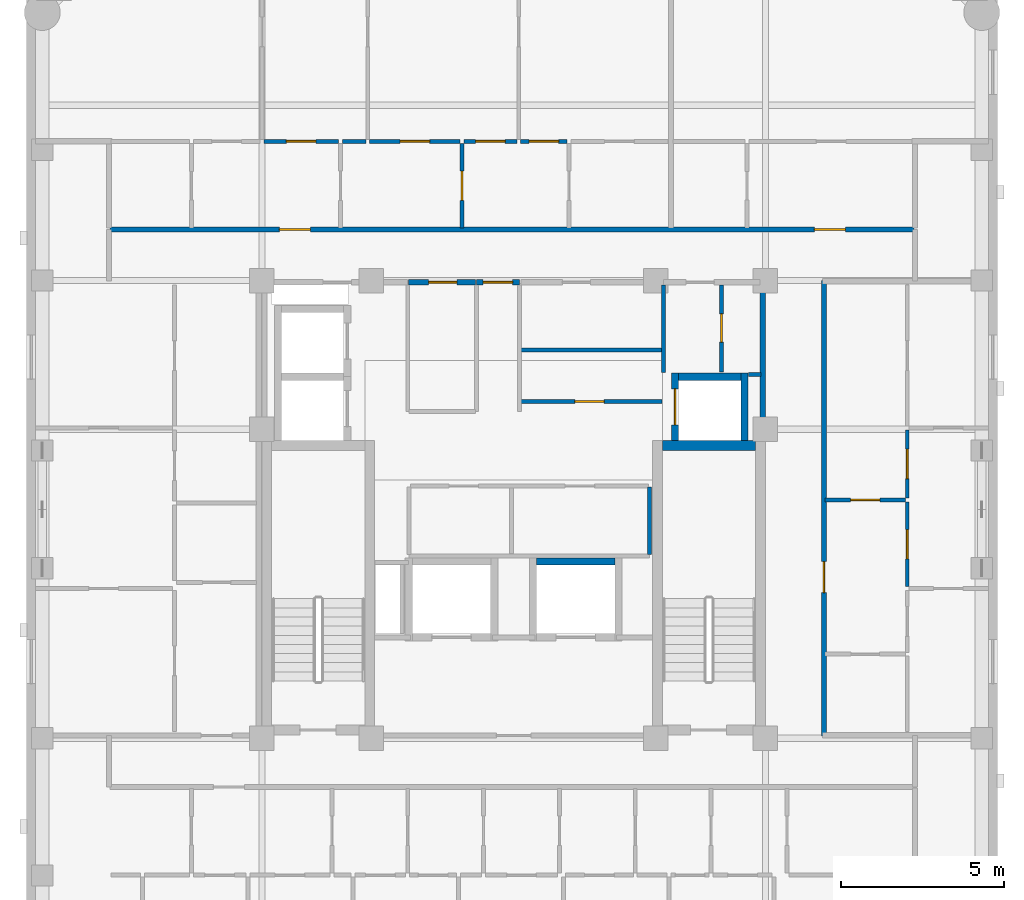
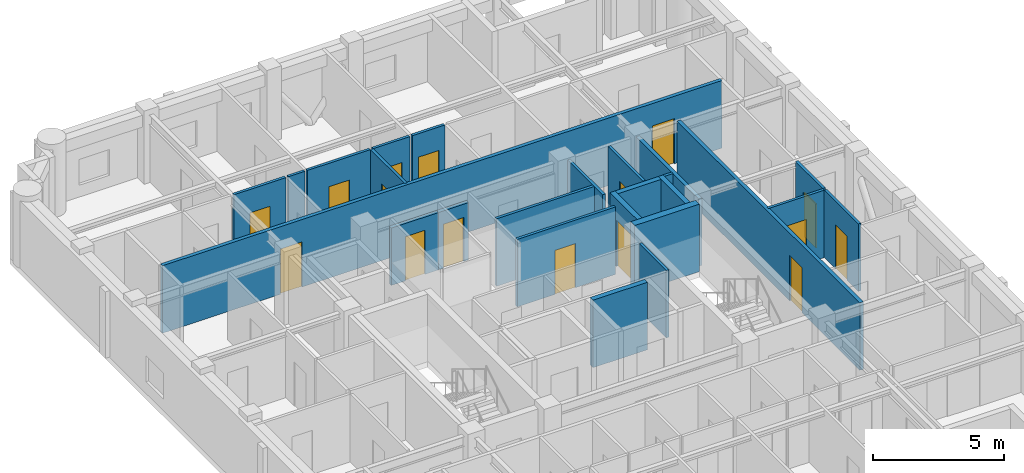
# One storey, part 6 of 11: 25 walls, 16 doors, 16 openings.
"""IFC4 building model written with IfcOpenShell, lengths in metres."""

import ifcopenshell
import ifcopenshell.guid

model = None  # the IFC model being written
_history = None  # IfcOwnerHistory: only IFC2X3 demands one
_inside = {}  # id of a spatial element -> (the spatial element, [elements in it])
_under = {}  # id of a project, library or spatial element -> (it, [spatial elements below it])
_declared = {}  # id of a project -> (the project, [libraries it declares])
_typed = {}  # id of a type object -> (the type object, [elements of that type])
_made_of = {}  # id of a material, layer set ... -> (it, [elements and type objects made of it])


def new_model(schema):
    """Start an empty IFC model of exactly this schema.

    Asked for "IFC4X3", IfcOpenShell would pick the latest addendum, in which some entities
    have other attributes; the version numbers below select the first issue.
    IFC2X3 requires an IfcOwnerHistory on every rooted entity: one is made here for all.
    """
    global model, _history
    if schema == "IFC4X3":
        model = ifcopenshell.file(schema_version=(4, 3, 0, 0))
    else:
        model = ifcopenshell.file(schema=schema)
    _inside.clear()
    _under.clear()
    _declared.clear()
    _typed.clear()
    _made_of.clear()
    _history = None
    if model.schema == "IFC2X3":
        org = make("IfcOrganization", Name="unknown")
        user = make(
            "IfcPersonAndOrganization",
            ThePerson=make("IfcPerson", FamilyName="unknown"),
            TheOrganization=org,
        )
        app = make(
            "IfcApplication",
            ApplicationDeveloper=org,
            Version="unknown",
            ApplicationFullName="unknown",
            ApplicationIdentifier="unknown",
        )
        _history = make(
            "IfcOwnerHistory",
            OwningUser=user,
            OwningApplication=app,
            ChangeAction="ADDED",
            CreationDate=0,
        )
    return model


def make(cls, **values):
    """One entity of the class cls with the attributes given. An attribute that is None is left unset."""
    return model.create_entity(
        cls, **{name: value for name, value in values.items() if value is not None}
    )


def rooted(cls, **values):
    """An entity with a GlobalId (a new one), such as an element, a storey or a relation."""
    return make(cls, GlobalId=ifcopenshell.guid.new(), OwnerHistory=_history, **values)


def si_unit(unit_type, name, prefix=None):
    """IfcSIUnit, for example si_unit("LENGTHUNIT", "METRE", prefix="MILLI")."""
    return make("IfcSIUnit", UnitType=unit_type, Prefix=prefix, Name=name)


def derived_unit(unit_type, elements):
    """IfcDerivedUnit: a product of units, each with its exponent."""
    return make(
        "IfcDerivedUnit",
        Elements=[
            make("IfcDerivedUnitElement", Unit=unit, Exponent=power)
            for unit, power in elements
        ],
        UnitType=unit_type,
    )


def assignment(units):
    """IfcUnitAssignment: the units of a project."""
    return None if units is None else make("IfcUnitAssignment", Units=units)


def point(xyz):
    """IfcCartesianPoint."""
    return None if xyz is None else make("IfcCartesianPoint", Coordinates=xyz)


def direction(xyz):
    """IfcDirection."""
    return None if xyz is None else make("IfcDirection", DirectionRatios=xyz)


def frame(location, z_axis=None, x_axis=None):
    """IfcAxis2Placement3D, a coordinate frame: its origin and axes. An axis left out is left unset."""
    return make(
        "IfcAxis2Placement3D",
        Location=point(location),
        Axis=direction(z_axis),
        RefDirection=direction(x_axis),
    )


def frame_2d(location, x_axis=None):
    """IfcAxis2Placement2D, a coordinate frame in the plane: its origin and x axis."""
    return make(
        "IfcAxis2Placement2D", Location=point(location), RefDirection=direction(x_axis)
    )


def origin():
    """The frame at (0, 0, 0) with its axes left unset."""
    return frame((0.0, 0.0, 0.0))


def place(relative_to, where):
    """IfcLocalPlacement: puts the frame where relative to a parent placement (None: the world)."""
    return make(
        "IfcLocalPlacement", PlacementRelTo=relative_to, RelativePlacement=where
    )


def context(
    kind, dimensions, precision=None, world=None, true_north=None, identifier=None
):
    """IfcGeometricRepresentationContext, for example the 3D "Model" context."""
    return make(
        "IfcGeometricRepresentationContext",
        ContextIdentifier=identifier,
        ContextType=kind,
        CoordinateSpaceDimension=dimensions,
        Precision=precision,
        WorldCoordinateSystem=world,
        TrueNorth=true_north,
    )


def subcontext(parent, identifier, kind, view, scale=None):
    """IfcGeometricRepresentationSubContext, for example "Body" below "Model"."""
    return make(
        "IfcGeometricRepresentationSubContext",
        ContextIdentifier=identifier,
        ContextType=kind,
        ParentContext=parent,
        TargetScale=scale,
        TargetView=view,
    )


def project(units=None, contexts=None):
    """IfcProject with its units and contexts."""
    return rooted(
        "IfcProject",
        Name="project",
        RepresentationContexts=contexts,
        UnitsInContext=assignment(units),
    )


def spatial(cls, under=None, at=None, **own):
    """A site, building, storey or space (cls), placed at a placement, below another one or the project."""
    s = rooted(cls, ObjectPlacement=at, **own)
    if under is not None:
        _under.setdefault(under.id(), (under, []))[1].append(s)
    return s


def profile(cls, at=None, kind="AREA", **sizes):
    """A parametric profile (cls). Its sizes go by their IFC names, for example OverallWidth=200.0."""
    return make(cls, ProfileType=kind, Position=at, **sizes)


def rectangle(**sizes):
    """IfcRectangleProfileDef."""
    return profile("IfcRectangleProfileDef", **sizes)


def extrude(swept, where, along, depth):
    """IfcExtrudedAreaSolid: the profile swept, set in the frame where, extruded along a direction by depth."""
    return make(
        "IfcExtrudedAreaSolid",
        SweptArea=swept,
        Position=where,
        ExtrudedDirection=direction(along),
        Depth=depth,
    )


def shape(context_of_items, identifier, shape_type, items):
    """IfcShapeRepresentation: the items that make up one representation, for example the "Body"."""
    return make(
        "IfcShapeRepresentation",
        ContextOfItems=context_of_items,
        RepresentationIdentifier=identifier,
        RepresentationType=shape_type,
        Items=items,
    )


def material(Name=None, Category=None):
    """IfcMaterial."""
    return make("IfcMaterial", Name=Name, Category=Category)


def layer(
    of_material, thickness, ventilated=None, Name=None, Category=None, Priority=None
):
    """IfcMaterialLayer: one layer of a wall or slab, of a material (None: an air gap)."""
    return make(
        "IfcMaterialLayer",
        Material=of_material,
        LayerThickness=thickness,
        IsVentilated=ventilated,
        Name=Name,
        Category=Category,
        Priority=Priority,
    )


def layer_set(layers, Name=None):
    """IfcMaterialLayerSet."""
    return make("IfcMaterialLayerSet", MaterialLayers=layers, LayerSetName=Name)


def made_of(thing, what):
    """Note that an element or type object is made of a material, layer set ...; save() writes the relation."""
    if what is not None:
        _made_of.setdefault(what.id(), (what, []))[1].append(thing)
    return thing


def type_object(cls, material=None, **own):
    """A type object (cls), such as IfcWallType, which elements share."""
    return made_of(rooted(cls, **own), material)


def element(
    cls,
    number,
    at=None,
    inside=None,
    cuts=None,
    type_object=None,
    material=None,
    context=None,
    identifier="Body",
    shape_type=None,
    held_by="IfcProductDefinitionShape",
    body=None,
    shapes=None,
    **own,
):
    """One element of the class cls, such as IfcWall. Its Tag is "e" and its number.

    at: its placement. inside: the storey or other place that contains it. cuts: it is an
    opening in that element (IfcRelVoidsElement). A single representation is given by context,
    identifier, shape_type and body (its items); several are given by shapes. held_by: the class
    of the entity that holds the representations. save() writes the other relations.
    """
    e = rooted(cls, Tag="e%d" % number, ObjectPlacement=at, **own)
    if body is not None:
        shapes = [shape(context, identifier, shape_type, body)]
    if shapes is not None:
        e.Representation = make(held_by, Representations=shapes)
    if inside is not None:
        _inside.setdefault(inside.id(), (inside, []))[1].append(e)
    if cuts is not None:
        rooted(
            "IfcRelVoidsElement", RelatingBuildingElement=cuts, RelatedOpeningElement=e
        )
    if type_object is not None:
        _typed.setdefault(type_object.id(), (type_object, []))[1].append(e)
    return made_of(e, material)


def fill(opening, filler):
    """IfcRelFillsElement: the door or window that sits in an opening."""
    return rooted(
        "IfcRelFillsElement",
        RelatingOpeningElement=opening,
        RelatedBuildingElement=filler,
    )


def aggregate(whole, parts):
    """IfcRelAggregates: a whole, such as a stair, and the parts it consists of."""
    return rooted("IfcRelAggregates", RelatingObject=whole, RelatedObjects=parts)


def save(model, path):
    """Write the relations noted so far, then the file.

    IfcRelAggregates (storeys below a building ...), IfcRelContainedInSpatialStructure (elements
    in a storey), IfcRelDefinesByType, IfcRelAssociatesMaterial and IfcRelDeclares: one each for
    every whole, place, type object, material and project.
    """
    for whole, parts in _under.values():
        aggregate(whole, parts)
    for where, things in _inside.values():
        rooted(
            "IfcRelContainedInSpatialStructure",
            RelatedElements=things,
            RelatingStructure=where,
        )
    for kind, things in _typed.values():
        rooted("IfcRelDefinesByType", RelatedObjects=things, RelatingType=kind)
    for what, things in _made_of.values():
        rooted("IfcRelAssociatesMaterial", RelatedObjects=things, RelatingMaterial=what)
    for by, libraries in _declared.values():
        rooted("IfcRelDeclares", RelatingContext=by, RelatedDefinitions=libraries)
    model.write(path)


model = new_model("IFC4")

# Units and contexts
model_context = context("Model", 3, precision=1e-05, world=origin(), true_north=direction((0.0, 1.0)))
body_context = subcontext(model_context, "Body", "Model", "MODEL_VIEW")
ifc_project = project(units=[si_unit("LENGTHUNIT", "METRE"), si_unit("AREAUNIT", "SQUARE_METRE"), si_unit("VOLUMEUNIT", "CUBIC_METRE"), si_unit("PLANEANGLEUNIT", "RADIAN"), si_unit("MASSUNIT", "GRAM", prefix="KILO"), derived_unit("THERMALTRANSMITTANCEUNIT", [(si_unit("MASSUNIT", "GRAM", prefix="KILO"), 1), (si_unit("TIMEUNIT", "SECOND"), -3), (si_unit("THERMODYNAMICTEMPERATUREUNIT", "KELVIN"), -1)])], contexts=[model_context])

# Site, building, storey
site_placement = place(None, origin())
site = spatial("IfcSite", under=ifc_project, at=site_placement, CompositionType="ELEMENT")
building_placement = place(site_placement, origin())
building = spatial("IfcBuilding", under=site, at=building_placement, Name="Korrvale Station Residences", CompositionType="ELEMENT")
storey_placement = place(building_placement, frame((0.0, 0.0, 230.89990234375)))
storey = spatial("IfcBuildingStorey", under=building, at=storey_placement, Name="L67", CompositionType="ELEMENT", Elevation=230.89990234375)

# Walls
ifc_material_1 = material(Name="Concrete C50/60", Category="concrete")
ifc_layer_1 = layer(ifc_material_1, 0.300048828125, Name="Concrete C50/60")
ifc_layer_set_1 = layer_set([ifc_layer_1], Name="Concrete C50/60")
wall_type_1 = type_object("IfcWallType", Name="WAL-CORE-300-C50", PredefinedType="SHEAR", material=ifc_layer_set_1)
wall_1_placement = place(storey_placement, frame((30.050048828125, 23.949951171875, 0.0), z_axis=(0.0, 0.0, 1.0), x_axis=(1.0, 0.0, 0.0)))
element("IfcWall", 1, at=wall_1_placement, inside=storey, type_object=wall_type_1, Name="L67 ST-2 Core Shear Wall North", PredefinedType="SHEAR", context=body_context, shape_type="SweptSolid", body=[
    extrude(rectangle(XDim=2.849853515625, YDim=0.300048828125, at=frame_2d((1.4248046875, 0.0))), origin(), (0.0, 0.0, 1.0), 3.14013671875),
])
ifc_material_2 = material(Name="Acoustic steel-stud gypsum board partition", Category="steel")
ifc_layer_2 = layer(ifc_material_2, 0.1201171875, Name="Acoustic steel-stud gypsum board partition")
ifc_layer_set_2 = layer_set([ifc_layer_2], Name="Acoustic steel-stud gypsum board partition")
wall_type_2 = type_object("IfcWallType", Name="WAL-PART-125", PredefinedType="PARTITIONING", material=ifc_layer_set_2)
wall_2_placement = place(storey_placement, frame((30.080078125, 26.179931640625, 0.0), z_axis=(0.0, 0.0, 1.0), x_axis=(0.0, 1.0, 0.0)))
element("IfcWall", 2, at=wall_2_placement, inside=storey, type_object=wall_type_2, Name="L67 Core Partition CW-CS-W", PredefinedType="PARTITIONING", context=body_context, shape_type="SweptSolid", body=[
    extrude(rectangle(XDim=2.68017578125, YDim=0.1201171875, at=frame_2d((1.340087890625, 0.0))), origin(), (0.0, 0.0, 1.0), 3.14013671875),
])
wall_3_placement = place(storey_placement, frame((32.679931640625, 26.1201171875, 0.0), z_axis=(0.0, 0.0, 1.0), x_axis=(1.0, 0.0, 0.0)))
element("IfcWall", 3, at=wall_3_placement, inside=storey, type_object=wall_type_2, Name="L67 Core Partition CW-CS-S", PredefinedType="PARTITIONING", context=body_context, shape_type="SweptSolid", body=[
    extrude(rectangle(XDim=0.380126953125, YDim=0.1201171875, at=frame_2d((0.18994140625, 0.0))), origin(), (0.0, 0.0, 1.0), 3.14013671875),
])

# Wall, opening, door
wall_4_placement = place(storey_placement, frame((31.860107421875, 26.199951171875, 0.0), z_axis=(0.0, 0.0, 1.0), x_axis=(0.0, 1.0, 0.0)))
wall_4 = element("IfcWall", 4, at=wall_4_placement, inside=storey, type_object=wall_type_2, Name="L67 Core Partition CW-CS-MID", PredefinedType="PARTITIONING", context=body_context, shape_type="SweptSolid", body=[
    extrude(rectangle(XDim=2.66015625, YDim=0.1201171875, at=frame_2d((1.330078125, 0.0))), origin(), (0.0, 0.0, 1.0), 3.14013671875),
])
opening_1_placement = place(wall_4_placement, frame((0.919921875, 0.0, 0.0)))
opening_1 = element("IfcOpeningElement", 5, at=opening_1_placement, cuts=wall_4, Name="Opening DB-860", PredefinedType="OPENING", context=body_context, shape_type="SweptSolid", body=[
    extrude(rectangle(XDim=0.860107421875, YDim=2.050048828125, at=frame_2d((0.43017578125, 1.02490234375))), frame((0.0, 0.070068359375, 0.0), z_axis=(0.0, -1.0, 0.0), x_axis=(1.0, 0.0, 0.0)), (0.0, 0.0, 1.0), 0.14013671875),
])
ifc_material_3 = material(Name="Moisture-resistant solid-core bathroom door", Category="timber")
door_type_1 = type_object("IfcDoorType", Name="DR-BATH-860", OperationType="NOTDEFINED", PredefinedType="DOOR", material=ifc_material_3)
door_1_placement = place(opening_1_placement, origin())
door_1 = element("IfcDoor", 6, at=door_1_placement, inside=storey, type_object=door_type_1, Name="L67 Metering Inner Door", OperationType="SINGLE_SWING_LEFT", OverallHeight=2.050048828125, OverallWidth=0.860107421875, PredefinedType="DOOR", context=body_context, shape_type="SweptSolid", body=[
    extrude(rectangle(XDim=0.860107421875, YDim=2.050048828125, at=frame_2d((0.43017578125, 1.02490234375))), frame((0.0, 0.02490234375, 0.0), z_axis=(0.0, -1.0, 0.0), x_axis=(1.0, 0.0, 0.0)), (0.0, 0.0, 1.0), 0.050048828125),
])
fill(opening_1, door_1)

# Wall
wall_5_placement = place(storey_placement, frame((25.719970703125, 26.8798828125, 0.0), z_axis=(0.0, 0.0, 1.0), x_axis=(1.0, 0.0, 0.0)))
element("IfcWall", 7, at=wall_5_placement, inside=storey, type_object=wall_type_2, Name="L67 Core Partition CW-FPLE-H", PredefinedType="PARTITIONING", context=body_context, shape_type="SweptSolid", body=[
    extrude(rectangle(XDim=4.320068359375, YDim=0.1201171875, at=frame_2d((2.16015625, 0.0))), origin(), (0.0, 0.0, 1.0), 3.14013671875),
])

# Wall, opening, door
wall_6_placement = place(storey_placement, frame((25.719970703125, 25.300048828125, 0.0), z_axis=(0.0, 0.0, 1.0), x_axis=(1.0, 0.0, 0.0)))
wall_6 = element("IfcWall", 8, at=wall_6_placement, inside=storey, type_object=wall_type_2, Name="L67 Core Partition CW-FPLE-S", PredefinedType="PARTITIONING", context=body_context, shape_type="SweptSolid", body=[
    extrude(rectangle(XDim=4.320068359375, YDim=0.1201171875, at=frame_2d((2.16015625, 0.0))), origin(), (0.0, 0.0, 1.0), 3.14013671875),
])
opening_2_placement = place(wall_6_placement, frame((1.64990234375, 0.0, 0.0)))
opening_2 = element("IfcOpeningElement", 9, at=opening_2_placement, cuts=wall_6, Name="Opening DI-900", PredefinedType="OPENING", context=body_context, shape_type="SweptSolid", body=[
    extrude(rectangle(XDim=0.89990234375, YDim=2.050048828125, at=frame_2d((0.449951171875, 1.02490234375))), frame((0.0, 0.070068359375, 0.0), z_axis=(0.0, -1.0, 0.0), x_axis=(1.0, 0.0, 0.0)), (0.0, 0.0, 1.0), 0.14013671875),
])
ifc_material_4 = material(Name="Painted solid-core timber interior room door", Category="wood")
door_type_2 = type_object("IfcDoorType", Name="DR-INT-900", OperationType="NOTDEFINED", PredefinedType="DOOR", material=ifc_material_4)
door_2_placement = place(opening_2_placement, origin())
door_2 = element("IfcDoor", 10, at=door_2_placement, inside=storey, type_object=door_type_2, Name="L67 Housekeeping Linen Door", OperationType="SINGLE_SWING_RIGHT", OverallHeight=2.050048828125, OverallWidth=0.89990234375, PredefinedType="DOOR", context=body_context, shape_type="SweptSolid", body=[
    extrude(rectangle(XDim=0.89990234375, YDim=2.050048828125, at=frame_2d((0.449951171875, 1.02490234375))), frame((0.0, 0.02490234375, 0.0), z_axis=(0.0, -1.0, 0.0), x_axis=(1.0, 0.0, 0.0)), (0.0, 0.0, 1.0), 0.050048828125),
])
fill(opening_2, door_2)

# Wall
wall_7_placement = place(storey_placement, frame((29.659912109375, 20.6201171875, 0.0), z_axis=(0.0, 0.0, 1.0), x_axis=(0.0, 1.0, 0.0)))
element("IfcWall", 11, at=wall_7_placement, inside=storey, type_object=wall_type_2, Name="L67 Core Partition CW-FPM-E", PredefinedType="PARTITIONING", context=body_context, shape_type="SweptSolid", body=[
    extrude(rectangle(XDim=2.059814453125, YDim=0.1201171875, at=frame_2d((1.02978515625, 0.0))), origin(), (0.0, 0.0, 1.0), 3.14013671875),
])

# Wall, opening, door
wall_8_placement = place(storey_placement, frame((17.860107421875, 33.260009765625, 0.0), z_axis=(0.0, 0.0, 1.0), x_axis=(1.0, 0.0, 0.0)))
wall_8 = element("IfcWall", 12, at=wall_8_placement, inside=storey, type_object=wall_type_2, Name="L67 Suite Partition U02-H16", PredefinedType="PARTITIONING", context=body_context, shape_type="SweptSolid", body=[
    extrude(rectangle(XDim=2.27978515625, YDim=0.1201171875, at=frame_2d((1.139892578125, 0.0))), origin(), (0.0, 0.0, 1.0), 3.14013671875),
])
opening_3_placement = place(wall_8_placement, frame((0.68994140625, 0.0, 0.0)))
opening_3 = element("IfcOpeningElement", 13, at=opening_3_placement, cuts=wall_8, Name="Opening DI-900", PredefinedType="OPENING", context=body_context, shape_type="SweptSolid", body=[
    extrude(rectangle(XDim=0.89990234375, YDim=2.050048828125, at=frame_2d((0.449951171875, 1.02490234375))), frame((0.0, 0.070068359375, 0.0), z_axis=(0.0, -1.0, 0.0), x_axis=(1.0, 0.0, 0.0)), (0.0, 0.0, 1.0), 0.14013671875),
])
door_3_placement = place(opening_3_placement, origin())
door_3 = element("IfcDoor", 14, at=door_3_placement, inside=storey, type_object=door_type_2, Name="L67 Apartment 2BR L67-U02 Kitchen Door", OperationType="SINGLE_SWING_LEFT", OverallHeight=2.050048828125, OverallWidth=0.89990234375, PredefinedType="DOOR", context=body_context, shape_type="SweptSolid", body=[
    extrude(rectangle(XDim=0.89990234375, YDim=2.050048828125, at=frame_2d((0.449951171875, 1.02490234375))), frame((0.0, 0.02490234375, 0.0), z_axis=(0.0, -1.0, 0.0), x_axis=(1.0, 0.0, 0.0)), (0.0, 0.0, 1.0), 0.050048828125),
])
fill(opening_3, door_3)

wall_9_placement = place(storey_placement, frame((23.919921875, 30.60009765625, 0.0), z_axis=(0.0, 0.0, 1.0), x_axis=(0.0, 1.0, 0.0)))
wall_9 = element("IfcWall", 15, at=wall_9_placement, inside=storey, type_object=wall_type_2, Name="L67 Suite Partition U02-V23", PredefinedType="PARTITIONING", context=body_context, shape_type="SweptSolid", body=[
    extrude(rectangle(XDim=2.599853515625, YDim=0.1201171875, at=frame_2d((1.2998046875, 0.0))), origin(), (0.0, 0.0, 1.0), 3.14013671875),
])
opening_4_placement = place(wall_9_placement, frame((0.85009765625, 0.0, 0.0)))
opening_4 = element("IfcOpeningElement", 16, at=opening_4_placement, cuts=wall_9, Name="Opening DI-900", PredefinedType="OPENING", context=body_context, shape_type="SweptSolid", body=[
    extrude(rectangle(XDim=0.89990234375, YDim=2.050048828125, at=frame_2d((0.449951171875, 1.02490234375))), frame((0.0, 0.070068359375, 0.0), z_axis=(0.0, -1.0, 0.0), x_axis=(1.0, 0.0, 0.0)), (0.0, 0.0, 1.0), 0.14013671875),
])
door_4_placement = place(opening_4_placement, origin())
door_4 = element("IfcDoor", 17, at=door_4_placement, inside=storey, type_object=door_type_2, Name="L67 Apartment 2BR L67-U02 Utility and Laundry Room Door", OperationType="SINGLE_SWING_RIGHT", OverallHeight=2.050048828125, OverallWidth=0.89990234375, PredefinedType="DOOR", context=body_context, shape_type="SweptSolid", body=[
    extrude(rectangle(XDim=0.89990234375, YDim=2.050048828125, at=frame_2d((0.449951171875, 1.02490234375))), frame((0.0, 0.02490234375, 0.0), z_axis=(0.0, -1.0, 0.0), x_axis=(1.0, 0.0, 0.0)), (0.0, 0.0, 1.0), 0.050048828125),
])
fill(opening_4, door_4)

# Wall
wall_10_placement = place(storey_placement, frame((20.260009765625, 33.260009765625, 0.0), z_axis=(0.0, 0.0, 1.0), x_axis=(1.0, 0.0, 0.0)))
element("IfcWall", 18, at=wall_10_placement, inside=storey, type_object=wall_type_2, Name="L67 Suite Partition U02-H26", PredefinedType="PARTITIONING", context=body_context, shape_type="SweptSolid", body=[
    extrude(rectangle(XDim=0.717041015625, YDim=0.1201171875, at=frame_2d((0.3583984375, 0.0))), origin(), (0.0, 0.0, 1.0), 3.14013671875),
])

# Wall, opening, door
wall_11_placement = place(storey_placement, frame((21.096923828125, 33.260009765625, 0.0), z_axis=(0.0, 0.0, 1.0), x_axis=(1.0, 0.0, 0.0)))
wall_11 = element("IfcWall", 19, at=wall_11_placement, inside=storey, type_object=wall_type_2, Name="L67 Suite Partition U02-H27", PredefinedType="PARTITIONING", context=body_context, shape_type="SweptSolid", body=[
    extrude(rectangle(XDim=2.76318359375, YDim=0.1201171875, at=frame_2d((1.381591796875, 0.0))), origin(), (0.0, 0.0, 1.0), 3.14013671875),
])
opening_5_placement = place(wall_11_placement, frame((0.930908203125, 0.0, 0.0)))
opening_5 = element("IfcOpeningElement", 20, at=opening_5_placement, cuts=wall_11, Name="Opening DI-900", PredefinedType="OPENING", context=body_context, shape_type="SweptSolid", body=[
    extrude(rectangle(XDim=0.89990234375, YDim=2.050048828125, at=frame_2d((0.449951171875, 1.02490234375))), frame((0.0, 0.070068359375, 0.0), z_axis=(0.0, -1.0, 0.0), x_axis=(1.0, 0.0, 0.0)), (0.0, 0.0, 1.0), 0.14013671875),
])
door_5_placement = place(opening_5_placement, origin())
door_5 = element("IfcDoor", 21, at=door_5_placement, inside=storey, type_object=door_type_2, Name="L67 Apartment 2BR L67-U02 Utility and Laundry Room Door", OperationType="SINGLE_SWING_LEFT", OverallHeight=2.050048828125, OverallWidth=0.89990234375, PredefinedType="DOOR", context=body_context, shape_type="SweptSolid", body=[
    extrude(rectangle(XDim=0.89990234375, YDim=2.050048828125, at=frame_2d((0.449951171875, 1.02490234375))), frame((0.0, 0.02490234375, 0.0), z_axis=(0.0, -1.0, 0.0), x_axis=(1.0, 0.0, 0.0)), (0.0, 0.0, 1.0), 0.050048828125),
])
fill(opening_5, door_5)

wall_12_placement = place(storey_placement, frame((23.97998046875, 33.260009765625, 0.0), z_axis=(0.0, 0.0, 1.0), x_axis=(1.0, 0.0, 0.0)))
wall_12 = element("IfcWall", 22, at=wall_12_placement, inside=storey, type_object=wall_type_2, Name="L67 Suite Partition U02-H37", PredefinedType="PARTITIONING", context=body_context, shape_type="SweptSolid", body=[
    extrude(rectangle(XDim=1.616943359375, YDim=0.1201171875, at=frame_2d((0.80859375, 0.0))), origin(), (0.0, 0.0, 1.0), 3.14013671875),
])
opening_6_placement = place(wall_12_placement, frame((0.35791015625, 0.0, 0.0)))
opening_6 = element("IfcOpeningElement", 23, at=opening_6_placement, cuts=wall_12, Name="Opening DI-900", PredefinedType="OPENING", context=body_context, shape_type="SweptSolid", body=[
    extrude(rectangle(XDim=0.89990234375, YDim=2.050048828125, at=frame_2d((0.449951171875, 1.02490234375))), frame((0.0, 0.070068359375, 0.0), z_axis=(0.0, -1.0, 0.0), x_axis=(1.0, 0.0, 0.0)), (0.0, 0.0, 1.0), 0.14013671875),
])
door_6_placement = place(opening_6_placement, origin())
door_6 = element("IfcDoor", 24, at=door_6_placement, inside=storey, type_object=door_type_2, Name="L67 Apartment 2BR L67-U02 Storage Closet 2 Door", OperationType="SINGLE_SWING_LEFT", OverallHeight=2.050048828125, OverallWidth=0.89990234375, PredefinedType="DOOR", context=body_context, shape_type="SweptSolid", body=[
    extrude(rectangle(XDim=0.89990234375, YDim=2.050048828125, at=frame_2d((0.449951171875, 1.02490234375))), frame((0.0, 0.02490234375, 0.0), z_axis=(0.0, -1.0, 0.0), x_axis=(1.0, 0.0, 0.0)), (0.0, 0.0, 1.0), 0.050048828125),
])
fill(opening_6, door_6)

wall_13_placement = place(storey_placement, frame((25.717041015625, 33.260009765625, 0.0), z_axis=(0.0, 0.0, 1.0), x_axis=(1.0, 0.0, 0.0)))
wall_13 = element("IfcWall", 25, at=wall_13_placement, inside=storey, type_object=wall_type_2, Name="L67 Suite Partition U02-H38", PredefinedType="PARTITIONING", context=body_context, shape_type="SweptSolid", body=[
    extrude(rectangle(XDim=1.412841796875, YDim=0.1201171875, at=frame_2d((0.70654296875, 0.0))), origin(), (0.0, 0.0, 1.0), 3.14013671875),
])
opening_7_placement = place(wall_13_placement, frame((0.257080078125, 0.0, 0.0)))
opening_7 = element("IfcOpeningElement", 26, at=opening_7_placement, cuts=wall_13, Name="Opening DI-900", PredefinedType="OPENING", context=body_context, shape_type="SweptSolid", body=[
    extrude(rectangle(XDim=0.89990234375, YDim=2.050048828125, at=frame_2d((0.449951171875, 1.02490234375))), frame((0.0, 0.070068359375, 0.0), z_axis=(0.0, -1.0, 0.0), x_axis=(1.0, 0.0, 0.0)), (0.0, 0.0, 1.0), 0.14013671875),
])
door_7_placement = place(opening_7_placement, origin())
door_7 = element("IfcDoor", 27, at=door_7_placement, inside=storey, type_object=door_type_2, Name="L67 Apartment 2BR L67-U02 Storage Closet 2 Door", OperationType="SINGLE_SWING_RIGHT", OverallHeight=2.050048828125, OverallWidth=0.89990234375, PredefinedType="DOOR", context=body_context, shape_type="SweptSolid", body=[
    extrude(rectangle(XDim=0.89990234375, YDim=2.050048828125, at=frame_2d((0.449951171875, 1.02490234375))), frame((0.0, 0.02490234375, 0.0), z_axis=(0.0, -1.0, 0.0), x_axis=(1.0, 0.0, 0.0)), (0.0, 0.0, 1.0), 0.050048828125),
])
fill(opening_7, door_7)

wall_14_placement = place(storey_placement, frame((35.030029296875, 22.2900390625, 0.0), z_axis=(0.0, 0.0, 1.0), x_axis=(1.0, 0.0, 0.0)))
wall_14 = element("IfcWall", 28, at=wall_14_placement, inside=storey, type_object=wall_type_2, Name="L67 Suite Partition U05-H02", PredefinedType="PARTITIONING", context=body_context, shape_type="SweptSolid", body=[
    extrude(rectangle(XDim=2.449951171875, YDim=0.1201171875, at=frame_2d((1.22509765625, 0.0))), origin(), (0.0, 0.0, 1.0), 3.14013671875),
])
opening_8_placement = place(wall_14_placement, frame((0.77490234375, 0.0, 0.0)))
opening_8 = element("IfcOpeningElement", 29, at=opening_8_placement, cuts=wall_14, Name="Opening DI-900", PredefinedType="OPENING", context=body_context, shape_type="SweptSolid", body=[
    extrude(rectangle(XDim=0.89990234375, YDim=2.050048828125, at=frame_2d((0.449951171875, 1.02490234375))), frame((0.0, 0.070068359375, 0.0), z_axis=(0.0, -1.0, 0.0), x_axis=(1.0, 0.0, 0.0)), (0.0, 0.0, 1.0), 0.14013671875),
])
door_8_placement = place(opening_8_placement, origin())
door_8 = element("IfcDoor", 30, at=door_8_placement, inside=storey, type_object=door_type_2, Name="L67 Apartment 2BR L67-U05 Wardrobe Storage Room Door", OperationType="SINGLE_SWING_RIGHT", OverallHeight=2.050048828125, OverallWidth=0.89990234375, PredefinedType="DOOR", context=body_context, shape_type="SweptSolid", body=[
    extrude(rectangle(XDim=0.89990234375, YDim=2.050048828125, at=frame_2d((0.449951171875, 1.02490234375))), frame((0.0, 0.02490234375, 0.0), z_axis=(0.0, -1.0, 0.0), x_axis=(1.0, 0.0, 0.0)), (0.0, 0.0, 1.0), 0.050048828125),
])
fill(opening_8, door_8)

wall_15_placement = place(storey_placement, frame((37.5400390625, 22.35009765625, 0.0), z_axis=(0.0, 0.0, 1.0), x_axis=(0.0, 1.0, 0.0)))
wall_15 = element("IfcWall", 31, at=wall_15_placement, inside=storey, type_object=wall_type_2, Name="L67 Suite Partition U05-V04", PredefinedType="PARTITIONING", context=body_context, shape_type="SweptSolid", body=[
    extrude(rectangle(XDim=2.081787109375, YDim=0.1201171875, at=frame_2d((1.041015625, 0.0))), origin(), (0.0, 0.0, 1.0), 3.14013671875),
])
opening_9_placement = place(wall_15_placement, frame((0.591064453125, 0.0, 0.0)))
opening_9 = element("IfcOpeningElement", 32, at=opening_9_placement, cuts=wall_15, Name="Opening DI-900", PredefinedType="OPENING", context=body_context, shape_type="SweptSolid", body=[
    extrude(rectangle(XDim=0.89990234375, YDim=2.050048828125, at=frame_2d((0.449951171875, 1.02490234375))), frame((0.0, 0.070068359375, 0.0), z_axis=(0.0, -1.0, 0.0), x_axis=(1.0, 0.0, 0.0)), (0.0, 0.0, 1.0), 0.14013671875),
])
door_9_placement = place(opening_9_placement, origin())
door_9 = element("IfcDoor", 33, at=door_9_placement, inside=storey, type_object=door_type_2, Name="L67 Apartment 2BR L67-U05 Wardrobe Storage Room Door", OperationType="SINGLE_SWING_LEFT", OverallHeight=2.050048828125, OverallWidth=0.89990234375, PredefinedType="DOOR", context=body_context, shape_type="SweptSolid", body=[
    extrude(rectangle(XDim=0.89990234375, YDim=2.050048828125, at=frame_2d((0.449951171875, 1.02490234375))), frame((0.0, 0.02490234375, 0.0), z_axis=(0.0, -1.0, 0.0), x_axis=(1.0, 0.0, 0.0)), (0.0, 0.0, 1.0), 0.050048828125),
])
fill(opening_9, door_9)

wall_16_placement = place(storey_placement, frame((37.5400390625, 19.637939453125, 0.0), z_axis=(0.0, 0.0, 1.0), x_axis=(0.0, 1.0, 0.0)))
wall_16 = element("IfcWall", 34, at=wall_16_placement, inside=storey, type_object=wall_type_2, Name="L67 Suite Partition U05-V24", PredefinedType="PARTITIONING", context=body_context, shape_type="SweptSolid", body=[
    extrude(rectangle(XDim=2.592041015625, YDim=0.1201171875, at=frame_2d((1.2958984375, 0.0))), origin(), (0.0, 0.0, 1.0), 3.14013671875),
])
opening_10_placement = place(wall_16_placement, frame((0.845947265625, 0.0, 0.0)))
opening_10 = element("IfcOpeningElement", 35, at=opening_10_placement, cuts=wall_16, Name="Opening DI-900", PredefinedType="OPENING", context=body_context, shape_type="SweptSolid", body=[
    extrude(rectangle(XDim=0.89990234375, YDim=2.050048828125, at=frame_2d((0.449951171875, 1.02490234375))), frame((0.0, 0.070068359375, 0.0), z_axis=(0.0, -1.0, 0.0), x_axis=(1.0, 0.0, 0.0)), (0.0, 0.0, 1.0), 0.14013671875),
])
door_10_placement = place(opening_10_placement, origin())
door_10 = element("IfcDoor", 36, at=door_10_placement, inside=storey, type_object=door_type_2, Name="L67 Apartment 2BR L67-U05 Kitchen Door", OperationType="SINGLE_SWING_LEFT", OverallHeight=2.050048828125, OverallWidth=0.89990234375, PredefinedType="DOOR", context=body_context, shape_type="SweptSolid", body=[
    extrude(rectangle(XDim=0.89990234375, YDim=2.050048828125, at=frame_2d((0.449951171875, 1.02490234375))), frame((0.0, 0.02490234375, 0.0), z_axis=(0.0, -1.0, 0.0), x_axis=(1.0, 0.0, 0.0)), (0.0, 0.0, 1.0), 0.050048828125),
])
fill(opening_10, door_10)

# Wall
ifc_material_5 = material(Name="Fire-rated twin-stud gypsum and mineral wool shaftwall assembly", Category="gypsum")
ifc_layer_3 = layer(ifc_material_5, 0.159912109375, Name="Fire-rated twin-stud gypsum and mineral wool shaftwall assembly")
ifc_layer_set_3 = layer_set([ifc_layer_3], Name="Fire-rated twin-stud gypsum and mineral wool shaftwall assembly")
wall_type_3 = type_object("IfcWallType", Name="WAL-PART-200", PredefinedType="PARTITIONING", material=ifc_layer_set_3)
wall_17_placement = place(storey_placement, frame((33.1201171875, 24.1201171875, 0.0), z_axis=(0.0, 0.0, 1.0), x_axis=(0.0, 1.0, 0.0)))
element("IfcWall", 37, at=wall_17_placement, inside=storey, type_object=wall_type_3, Name="L67 Core Partition CW-E-N", PredefinedType="PARTITIONING", context=body_context, shape_type="SweptSolid", body=[
    extrude(rectangle(XDim=4.759765625, YDim=0.159912109375, at=frame_2d((2.3798828125, 0.0))), origin(), (0.0, 0.0, 1.0), 3.14013671875),
])

# Wall, opening, door
wall_18_placement = place(storey_placement, frame((24.360107421875, 28.949951171875, 0.0), z_axis=(0.0, 0.0, 1.0), x_axis=(1.0, 0.0, 0.0)))
wall_18 = element("IfcWall", 38, at=wall_18_placement, inside=storey, type_object=wall_type_3, Name="L67 Core Partition CW-LLOB-N", PredefinedType="PARTITIONING", context=body_context, shape_type="SweptSolid", body=[
    extrude(rectangle(XDim=1.31982421875, YDim=0.159912109375, at=frame_2d((0.659912109375, 0.0))), origin(), (0.0, 0.0, 1.0), 2.668212890625),
])
opening_11_placement = place(wall_18_placement, frame((0.2099609375, 0.0, 0.0)))
opening_11 = element("IfcOpeningElement", 39, at=opening_11_placement, cuts=wall_18, Name="Opening DI-900", PredefinedType="OPENING", context=body_context, shape_type="SweptSolid", body=[
    extrude(rectangle(XDim=0.89990234375, YDim=2.050048828125, at=frame_2d((0.449951171875, 1.02490234375))), frame((0.0, 0.08984375, 0.0), z_axis=(0.0, -1.0, 0.0), x_axis=(1.0, 0.0, 0.0)), (0.0, 0.0, 1.0), 0.179931640625),
])
door_11_placement = place(opening_11_placement, origin())
door_11 = element("IfcDoor", 40, at=door_11_placement, inside=storey, type_object=door_type_2, Name="L67 Central Hallway North Passage Door", OperationType="SINGLE_SWING_LEFT", OverallHeight=2.050048828125, OverallWidth=0.89990234375, PredefinedType="DOOR", context=body_context, shape_type="SweptSolid", body=[
    extrude(rectangle(XDim=0.89990234375, YDim=2.050048828125, at=frame_2d((0.449951171875, 1.02490234375))), frame((0.0, 0.02490234375, 0.0), z_axis=(0.0, -1.0, 0.0), x_axis=(1.0, 0.0, 0.0)), (0.0, 0.0, 1.0), 0.050048828125),
])
fill(opening_11, door_11)

wall_19_placement = place(storey_placement, frame((22.280029296875, 28.949951171875, 0.0), z_axis=(0.0, 0.0, 1.0), x_axis=(1.0, 0.0, 0.0)))
wall_19 = element("IfcWall", 41, at=wall_19_placement, inside=storey, type_object=wall_type_3, Name="L67 Core Partition CW-FPLW-N", PredefinedType="PARTITIONING", context=body_context, shape_type="SweptSolid", body=[
    extrude(rectangle(XDim=2.06005859375, YDim=0.159912109375, at=frame_2d((1.030029296875, 0.0))), origin(), (0.0, 0.0, 1.0), 2.668212890625),
])
opening_12_placement = place(wall_19_placement, frame((0.6201171875, 0.0, 0.0)))
opening_12 = element("IfcOpeningElement", 42, at=opening_12_placement, cuts=wall_19, Name="Opening DB-860", PredefinedType="OPENING", context=body_context, shape_type="SweptSolid", body=[
    extrude(rectangle(XDim=0.860107421875, YDim=2.050048828125, at=frame_2d((0.43017578125, 1.02490234375))), frame((0.0, 0.08984375, 0.0), z_axis=(0.0, -1.0, 0.0), x_axis=(1.0, 0.0, 0.0)), (0.0, 0.0, 1.0), 0.179931640625),
])
door_12_placement = place(opening_12_placement, origin())
door_12 = element("IfcDoor", 43, at=door_12_placement, inside=storey, type_object=door_type_1, Name="L67 Resident Parcel Room Door", OperationType="SINGLE_SWING_LEFT", OverallHeight=2.050048828125, OverallWidth=0.860107421875, PredefinedType="DOOR", context=body_context, shape_type="SweptSolid", body=[
    extrude(rectangle(XDim=0.860107421875, YDim=2.050048828125, at=frame_2d((0.43017578125, 1.02490234375))), frame((0.0, 0.02490234375, 0.0), z_axis=(0.0, -1.0, 0.0), x_axis=(1.0, 0.0, 0.0)), (0.0, 0.0, 1.0), 0.050048828125),
])
fill(opening_12, door_12)

# Wall, openings, doors
wall_20_placement = place(storey_placement, frame((13.14990234375, 30.56005859375, 0.0), z_axis=(0.0, 0.0, 1.0), x_axis=(1.0, 0.0, 0.0)))
wall_20 = element("IfcWall", 44, at=wall_20_placement, inside=storey, type_object=wall_type_3, Name="L67 Rated Corridor Wall N", PredefinedType="PARTITIONING", context=body_context, shape_type="SweptSolid", body=[
    extrude(rectangle(XDim=24.60009765625, YDim=0.159912109375, at=frame_2d((12.300048828125, 0.0))), origin(), (0.0, 0.0, 1.0), 3.14013671875),
])
opening_13_placement = place(wall_20_placement, frame((5.18505859375, 0.0, 0.0)))
opening_13 = element("IfcOpeningElement", 45, at=opening_13_placement, cuts=wall_20, Name="Opening UD-950", PredefinedType="OPENING", context=body_context, shape_type="SweptSolid", body=[
    extrude(rectangle(XDim=0.949951171875, YDim=2.10009765625, at=frame_2d((0.47509765625, 1.050048828125))), frame((0.0, 0.08984375, 0.0), z_axis=(0.0, -1.0, 0.0), x_axis=(1.0, 0.0, 0.0)), (0.0, 0.0, 1.0), 0.179931640625),
])
opening_14_placement = place(wall_20_placement, frame((21.550048828125, 0.0, 0.0)))
opening_14 = element("IfcOpeningElement", 46, at=opening_14_placement, cuts=wall_20, Name="Opening UD-950", PredefinedType="OPENING", context=body_context, shape_type="SweptSolid", body=[
    extrude(rectangle(XDim=0.949951171875, YDim=2.10009765625, at=frame_2d((0.47509765625, 1.050048828125))), frame((0.0, 0.08984375, 0.0), z_axis=(0.0, -1.0, 0.0), x_axis=(1.0, 0.0, 0.0)), (0.0, 0.0, 1.0), 0.179931640625),
])
ifc_material_6 = material(Name="Solid-core acoustic oak apartment entrance door", Category="timber")
door_type_3 = type_object("IfcDoorType", Name="DR-UNIT-950", OperationType="NOTDEFINED", PredefinedType="DOOR", material=ifc_material_6)
door_13_placement = place(opening_13_placement, origin())
door_13 = element("IfcDoor", 47, at=door_13_placement, inside=storey, type_object=door_type_3, Name="L67 Apartment L67-U02 Entrance Door", OperationType="SINGLE_SWING_LEFT", OverallHeight=2.10009765625, OverallWidth=0.949951171875, PredefinedType="DOOR", context=body_context, shape_type="SweptSolid", body=[
    extrude(rectangle(XDim=0.949951171875, YDim=2.10009765625, at=frame_2d((0.47509765625, 1.050048828125))), frame((0.0, 0.02490234375, 0.0), z_axis=(0.0, -1.0, 0.0), x_axis=(1.0, 0.0, 0.0)), (0.0, 0.0, 1.0), 0.050048828125),
])
fill(opening_13, door_13)
door_14_placement = place(opening_14_placement, origin())
door_14 = element("IfcDoor", 48, at=door_14_placement, inside=storey, type_object=door_type_3, Name="L67 Apartment L67-U03 Entrance Door", OperationType="SINGLE_SWING_RIGHT", OverallHeight=2.10009765625, OverallWidth=0.949951171875, PredefinedType="DOOR", context=body_context, shape_type="SweptSolid", body=[
    extrude(rectangle(XDim=0.949951171875, YDim=2.10009765625, at=frame_2d((0.47509765625, 1.050048828125))), frame((0.0, 0.02490234375, 0.0), z_axis=(0.0, -1.0, 0.0), x_axis=(1.0, 0.0, 0.0)), (0.0, 0.0, 1.0), 0.050048828125),
])
fill(opening_14, door_14)

# Wall, opening, door
wall_21_placement = place(storey_placement, frame((34.989990234375, 15.070068359375, 0.0), z_axis=(0.0, 0.0, 1.0), x_axis=(0.0, 1.0, 0.0)))
wall_21 = element("IfcWall", 49, at=wall_21_placement, inside=storey, type_object=wall_type_3, Name="L67 Rated Corridor Wall E", PredefinedType="PARTITIONING", context=body_context, shape_type="SweptSolid", body=[
    extrude(rectangle(XDim=13.929931640625, YDim=0.159912109375, at=frame_2d((6.96484375, 0.0))), origin(), (0.0, 0.0, 1.0), 3.14013671875),
])
opening_15_placement = place(wall_21_placement, frame((4.385009765625, 0.0, 0.0)))
opening_15 = element("IfcOpeningElement", 50, at=opening_15_placement, cuts=wall_21, Name="Opening UD-950", PredefinedType="OPENING", context=body_context, shape_type="SweptSolid", body=[
    extrude(rectangle(XDim=0.949951171875, YDim=2.10009765625, at=frame_2d((0.47509765625, 1.050048828125))), frame((0.0, 0.08984375, 0.0), z_axis=(0.0, -1.0, 0.0), x_axis=(1.0, 0.0, 0.0)), (0.0, 0.0, 1.0), 0.179931640625),
])
door_15_placement = place(opening_15_placement, origin())
door_15 = element("IfcDoor", 51, at=door_15_placement, inside=storey, type_object=door_type_3, Name="L67 Apartment L67-U05 Entrance Door", OperationType="SINGLE_SWING_LEFT", OverallHeight=2.10009765625, OverallWidth=0.949951171875, PredefinedType="DOOR", context=body_context, shape_type="SweptSolid", body=[
    extrude(rectangle(XDim=0.949951171875, YDim=2.10009765625, at=frame_2d((0.47509765625, 1.050048828125))), frame((0.0, 0.02490234375, 0.0), z_axis=(0.0, -1.0, 0.0), x_axis=(1.0, 0.0, 0.0)), (0.0, 0.0, 1.0), 0.050048828125),
])
fill(opening_15, door_15)

# Wall
ifc_layer_4 = layer(ifc_material_1, 0.219970703125, Name="Concrete C50/60")
ifc_layer_set_4 = layer_set([ifc_layer_4], Name="Concrete C50/60")
wall_type_4 = type_object("IfcWallType", Name="WAL-SHAFT-220-C50", PredefinedType="SHEAR", material=ifc_layer_set_4)
wall_22_placement = place(storey_placement, frame((30.550048828125, 26.06005859375, 0.0), z_axis=(0.0, 0.0, 1.0), x_axis=(1.0, 0.0, 0.0)))
element("IfcWall", 52, at=wall_22_placement, inside=storey, type_object=wall_type_4, Name="L67 Elevator PH-3 Hoistway Wall North", PredefinedType="SHEAR", context=body_context, shape_type="SweptSolid", body=[
    extrude(rectangle(XDim=1.89990234375, YDim=0.219970703125, at=frame_2d((0.949951171875, 0.0))), origin(), (0.0, 0.0, 1.0), 3.14013671875),
])

# Wall, opening, door
wall_23_placement = place(storey_placement, frame((30.43994140625, 24.10009765625, 0.0), z_axis=(0.0, 0.0, 1.0), x_axis=(0.0, 1.0, 0.0)))
wall_23 = element("IfcWall", 53, at=wall_23_placement, inside=storey, type_object=wall_type_4, Name="L67 Elevator PH-3 Hoistway Wall West", PredefinedType="SHEAR", context=body_context, shape_type="SweptSolid", body=[
    extrude(rectangle(XDim=2.06982421875, YDim=0.219970703125, at=frame_2d((1.034912109375, 0.0))), origin(), (0.0, 0.0, 1.0), 3.14013671875),
])
opening_16_placement = place(wall_23_placement, frame((0.485107421875, 0.0, 0.0)))
opening_16 = element("IfcOpeningElement", 54, at=opening_16_placement, cuts=wall_23, Name="Opening LD-1100", PredefinedType="OPENING", context=body_context, shape_type="SweptSolid", body=[
    extrude(rectangle(XDim=1.10009765625, YDim=2.14990234375, at=frame_2d((0.550048828125, 1.074951171875))), frame((0.0, 0.1201171875, 0.0), z_axis=(0.0, -1.0, 0.0), x_axis=(1.0, 0.0, 0.0)), (0.0, 0.0, 1.0), 0.239990234375),
])
ifc_material_7 = material(Name="Brushed stainless-steel elevator landing sliding door", Category="steel")
door_type_4 = type_object("IfcDoorType", Name="DR-LIFT-1100", OperationType="SLIDING_TO_LEFT", PredefinedType="DOOR", material=ifc_material_7)
door_16_placement = place(opening_16_placement, origin())
door_16 = element("IfcDoor", 55, at=door_16_placement, inside=storey, type_object=door_type_4, Name="L67 Elevator PH-3 Sliding Landing Door", OperationType="SLIDING_TO_LEFT", OverallHeight=2.14990234375, OverallWidth=1.10009765625, PredefinedType="DOOR", context=body_context, shape_type="SweptSolid", body=[
    extrude(rectangle(XDim=1.10009765625, YDim=2.14990234375, at=frame_2d((0.550048828125, 1.074951171875))), frame((0.0, 0.02490234375, 0.0), z_axis=(0.0, -1.0, 0.0), x_axis=(1.0, 0.0, 0.0)), (0.0, 0.0, 1.0), 0.050048828125),
])
fill(opening_16, door_16)

# Walls
wall_24_placement = place(storey_placement, frame((32.56005859375, 24.10009765625, 0.0), z_axis=(0.0, 0.0, 1.0), x_axis=(0.0, 1.0, 0.0)))
element("IfcWall", 56, at=wall_24_placement, inside=storey, type_object=wall_type_4, Name="L67 Elevator PH-3 Hoistway Wall East", PredefinedType="SHEAR", context=body_context, shape_type="SweptSolid", body=[
    extrude(rectangle(XDim=2.06982421875, YDim=0.219970703125, at=frame_2d((1.034912109375, 0.0))), origin(), (0.0, 0.0, 1.0), 3.14013671875),
])
wall_25_placement = place(storey_placement, frame((26.199951171875, 20.409912109375, 0.0), z_axis=(0.0, 0.0, 1.0), x_axis=(1.0, 0.0, 0.0)))
element("IfcWall", 57, at=wall_25_placement, inside=storey, type_object=wall_type_4, Name="L67 Elevator FFL-2 Hoistway Wall North", PredefinedType="SHEAR", context=body_context, shape_type="SweptSolid", body=[
    extrude(rectangle(XDim=2.400146484375, YDim=0.219970703125, at=frame_2d((1.2001953125, 0.0))), origin(), (0.0, 0.0, 1.0), 3.14013671875),
])

save(model, "model.ifc")
